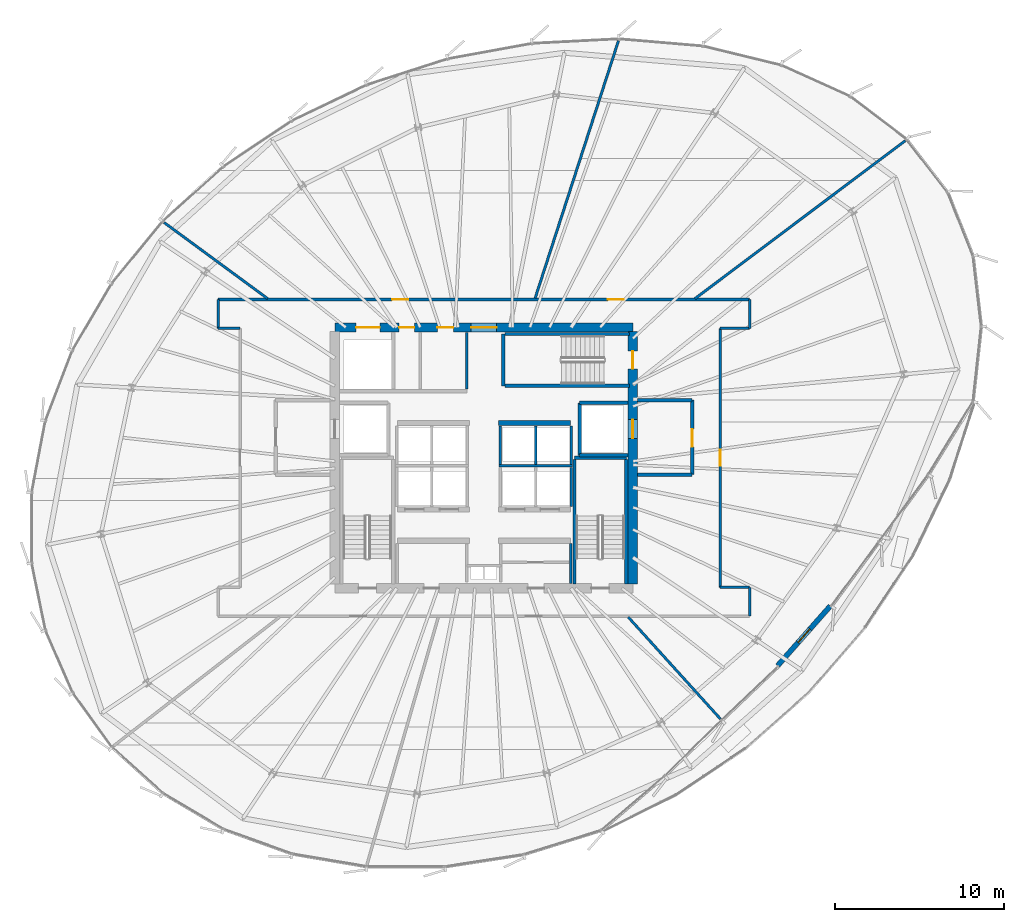
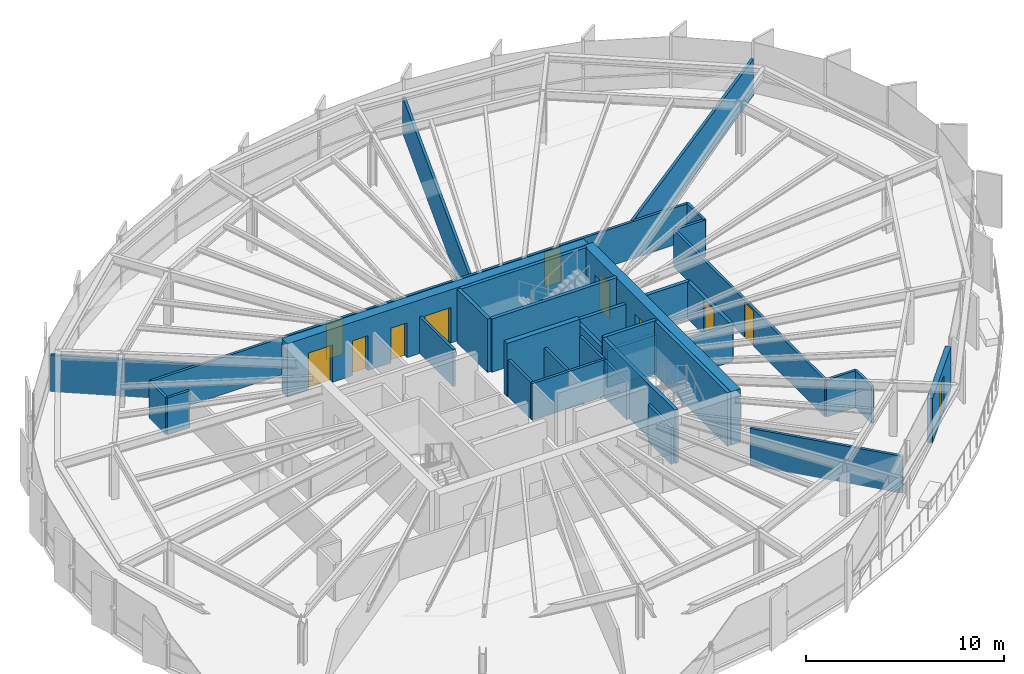
# One storey, part 29 of 34: 35 walls, 11 doors, 11 openings.
"""IFC4 building model written with IfcOpenShell, lengths in metres."""

from ifc_helpers import new_model, si_unit, direction, frame, frame_2d, origin, place, context, subcontext, project, spatial, rectangle, extrude, source, transform, mapped, material, layer, layer_set, type_object, element, fill, save


model = new_model("IFC4")

# Units and contexts
model_context = context("Model", 3, precision=1e-05, world=origin(), true_north=direction((0.0, 1.0)))
body_context = subcontext(model_context, "Body", "Model", "MODEL_VIEW")
ifc_project = project(units=[si_unit("LENGTHUNIT", "METRE"), si_unit("AREAUNIT", "SQUARE_METRE"), si_unit("VOLUMEUNIT", "CUBIC_METRE"), si_unit("PLANEANGLEUNIT", "RADIAN"), si_unit("MASSUNIT", "GRAM", prefix="KILO"), si_unit("THERMODYNAMICTEMPERATUREUNIT", "KELVIN")], contexts=[model_context])

# Site, building, storey
site_placement = place(None, origin())
site = spatial("IfcSite", under=ifc_project, at=site_placement, CompositionType="ELEMENT")
building_placement = place(site_placement, origin())
building = spatial("IfcBuilding", under=site, at=building_placement, Name="Kethvar Cultural Tower", CompositionType="ELEMENT")
storey_placement = place(building_placement, frame((0.0, 0.0, 153.64990234375)))
storey = spatial("IfcBuildingStorey", under=building, at=storey_placement, Name="L39", CompositionType="ELEMENT", Elevation=153.64990234375)

# Wall, openings, doors
ifc_material_1 = material(Name="Concrete C60/75", Category="concrete")
ifc_layer_1 = layer(ifc_material_1, 0.550048828125, Name="Concrete C60/75", Category="concrete")
ifc_layer_set_1 = layer_set([ifc_layer_1], Name="Concrete C60/75 (550 mm)")
wall_type_1 = type_object("IfcWallType", Name="WL-CORE-550", PredefinedType="SHEAR", material=ifc_layer_set_1)
wall_1_placement = place(storey_placement, frame((55.60009765625, 35.5, 0.0), z_axis=(0.0, 0.0, 1.0), x_axis=(-1.0, 0.0, 0.0)))
wall_1 = element("IfcWall", 1, at=wall_1_placement, inside=storey, type_object=wall_type_1, Name="L39 Core Shear Wall N", PredefinedType="SHEAR", context=body_context, shape_type="SweptSolid", body=[
    extrude(rectangle(XDim=17.60009765625, YDim=0.550048828125, at=frame_2d((8.800048828125, 0.0))), origin(), (0.0, 0.0, 1.0), 3.300048828125),
])
opening_1_placement = place(wall_1_placement, frame((8.050048828125, 0.0, 0.0)))
opening_1 = element("IfcOpeningElement", 2, at=opening_1_placement, cuts=wall_1, Name="Opening D-L39-LN", PredefinedType="OPENING", context=body_context, shape_type="SweptSolid", body=[
    extrude(rectangle(XDim=1.5, YDim=2.199951171875, at=frame_2d((0.75, 1.10009765625))), frame((0.0, 0.284912109375, 0.0), z_axis=(0.0, -1.0, 0.0), x_axis=(1.0, 0.0, 0.0)), (0.0, 0.0, 1.0), 0.570068359375),
])
opening_2_placement = place(wall_1_placement, frame((14.949951171875, 0.0, 0.0)))
opening_2 = element("IfcOpeningElement", 3, at=opening_2_placement, cuts=wall_1, Name="Opening LD-G1", PredefinedType="OPENING", context=body_context, shape_type="SweptSolid", body=[
    extrude(rectangle(XDim=1.39990234375, YDim=2.300048828125, at=frame_2d((0.699951171875, 1.14990234375))), frame((0.0, 0.284912109375, 0.0), z_axis=(0.0, -1.0, 0.0), x_axis=(1.0, 0.0, 0.0)), (0.0, 0.0, 1.0), 0.570068359375),
])
opening_3_placement = place(wall_1_placement, frame((12.89990234375, 0.0, 0.0)))
opening_3 = element("IfcOpeningElement", 4, at=opening_3_placement, cuts=wall_1, Name="Opening D-L39-W1", PredefinedType="OPENING", context=body_context, shape_type="SweptSolid", body=[
    extrude(rectangle(XDim=0.89990234375, YDim=2.14990234375, at=frame_2d((0.449951171875, 1.074951171875))), frame((0.0, 0.284912109375, 0.0), z_axis=(0.0, -1.0, 0.0), x_axis=(1.0, 0.0, 0.0)), (0.0, 0.0, 1.0), 0.570068359375),
])
opening_4_placement = place(wall_1_placement, frame((10.60009765625, 0.0, 0.0)))
opening_4 = element("IfcOpeningElement", 5, at=opening_4_placement, cuts=wall_1, Name="Opening D-L39-W2", PredefinedType="OPENING", context=body_context, shape_type="SweptSolid", body=[
    extrude(rectangle(XDim=0.949951171875, YDim=2.14990234375, at=frame_2d((0.47509765625, 1.074951171875))), frame((0.0, 0.284912109375, 0.0), z_axis=(0.0, -1.0, 0.0), x_axis=(1.0, 0.0, 0.0)), (0.0, 0.0, 1.0), 0.570068359375),
])
ifc_material_2 = material(Name="Architectural Oak Timber", Category="wood")
door_type_1 = type_object("IfcDoorType", Name="DR-DBL-FD60-1500", OperationType="DOUBLE_DOOR_SINGLE_SWING", PredefinedType="DOOR", material=ifc_material_2)
shared_shape_1 = source(origin(), body_context, "Body", "SweptSolid", [
    extrude(rectangle(XDim=1.5, YDim=2.199951171875, at=frame_2d((0.75, 1.10009765625))), frame((0.0, 0.02490234375, 0.0), z_axis=(0.0, -1.0, 0.0), x_axis=(1.0, 0.0, 0.0)), (0.0, 0.0, 1.0), 0.050048828125),
])
door_1_placement = place(opening_1_placement, origin())
door_1 = element("IfcDoor", 6, at=door_1_placement, inside=storey, type_object=door_type_1, Name="L39 Lift Lobby Concourse Door", OperationType="DOUBLE_DOOR_SINGLE_SWING", OverallHeight=2.199951171875, OverallWidth=1.5, PredefinedType="DOOR", context=body_context, shape_type="MappedRepresentation", body=[
    mapped(shared_shape_1, transform((0.0, 0.0, 0.0), scale=1.0)),
])
fill(opening_1, door_1)
ifc_material_3 = material(Name="Steel S355J2", Category="steel")
door_type_2 = type_object("IfcDoorType", Name="DR-LIFT-SLIDE-1400", OperationType="NOTDEFINED", PredefinedType="DOOR", material=ifc_material_3)
shared_shape_2 = source(origin(), body_context, "Body", "SweptSolid", [
    extrude(rectangle(XDim=1.39990234375, YDim=2.300048828125, at=frame_2d((0.699951171875, 1.14990234375))), frame((0.0, 0.02490234375, 0.0), z_axis=(0.0, -1.0, 0.0), x_axis=(1.0, 0.0, 0.0)), (0.0, 0.0, 1.0), 0.050048828125),
])
door_2_placement = place(opening_2_placement, origin())
door_2 = element("IfcDoor", 7, at=door_2_placement, inside=storey, type_object=door_type_2, Name="L39 Goods Lift Landing Door", OperationType="SLIDING_TO_RIGHT", OverallHeight=2.300048828125, OverallWidth=1.39990234375, PredefinedType="DOOR", context=body_context, shape_type="MappedRepresentation", body=[
    mapped(shared_shape_2, transform((0.0, 0.0, 0.0), scale=1.0)),
])
fill(opening_2, door_2)
door_type_3 = type_object("IfcDoorType", Name="DR-FD30-950", OperationType="NOTDEFINED", PredefinedType="DOOR", material=ifc_material_2)
shared_shape_3 = source(origin(), body_context, "Body", "SweptSolid", [
    extrude(rectangle(XDim=0.949951171875, YDim=2.14990234375, at=frame_2d((0.47509765625, 1.074951171875))), frame((0.0, 0.02490234375, 0.0), z_axis=(0.0, -1.0, 0.0), x_axis=(1.0, 0.0, 0.0)), (0.0, 0.0, 1.0), 0.050048828125),
])
door_3_placement = place(opening_4_placement, origin())
door_3 = element("IfcDoor", 8, at=door_3_placement, inside=storey, type_object=door_type_3, Name="L39 Public Washroom Door", OperationType="SINGLE_SWING_RIGHT", OverallHeight=2.14990234375, OverallWidth=0.949951171875, PredefinedType="DOOR", context=body_context, shape_type="MappedRepresentation", body=[
    mapped(shared_shape_3, transform((0.0, 0.0, 0.0), scale=1.0)),
])
fill(opening_4, door_3)
door_type_4 = type_object("IfcDoorType", Name="DR-FD30-900", OperationType="NOTDEFINED", PredefinedType="DOOR", material=ifc_material_2)
shared_shape_4 = source(origin(), body_context, "Body", "SweptSolid", [
    extrude(rectangle(XDim=0.89990234375, YDim=2.14990234375, at=frame_2d((0.449951171875, 1.074951171875))), frame((0.0, 0.02490234375, 0.0), z_axis=(0.0, -1.0, 0.0), x_axis=(1.0, 0.0, 0.0)), (0.0, 0.0, 1.0), 0.050048828125),
])
door_4_placement = place(opening_3_placement, origin())
door_4 = element("IfcDoor", 9, at=door_4_placement, inside=storey, type_object=door_type_4, Name="L39 Accessible Washroom Door", OperationType="SINGLE_SWING_LEFT", OverallHeight=2.14990234375, OverallWidth=0.89990234375, PredefinedType="DOOR", context=body_context, shape_type="MappedRepresentation", body=[
    mapped(shared_shape_4, transform((0.0, 0.0, 0.0), scale=1.0)),
])
fill(opening_3, door_4)

wall_2_placement = place(storey_placement, frame((55.60009765625, 20.340087890625, 0.0), z_axis=(0.0, 0.0, 1.0), x_axis=(0.0, 1.0, 0.0)))
wall_2 = element("IfcWall", 10, at=wall_2_placement, inside=storey, type_object=wall_type_1, Name="L39 Core Shear Wall E", PredefinedType="SHEAR", context=body_context, shape_type="SweptSolid", body=[
    extrude(rectangle(XDim=14.919921875, YDim=0.550048828125, at=frame_2d((7.4599609375, 0.0))), origin(), (0.0, 0.0, 1.0), 3.300048828125),
])
opening_5_placement = place(wall_2_placement, frame((12.7099609375, 0.0, 0.0)))
opening_5 = element("IfcOpeningElement", 11, at=opening_5_placement, cuts=wall_2, Name="Opening D-L39-S3", PredefinedType="OPENING", context=body_context, shape_type="SweptSolid", body=[
    extrude(rectangle(XDim=1.050048828125, YDim=2.14990234375, at=frame_2d((0.52490234375, 1.074951171875))), frame((0.0, 0.284912109375, 0.0), z_axis=(0.0, -1.0, 0.0), x_axis=(1.0, 0.0, 0.0)), (0.0, 0.0, 1.0), 0.570068359375),
])
opening_6_placement = place(wall_2_placement, frame((8.610107421875, 0.0, 0.0)))
opening_6 = element("IfcOpeningElement", 12, at=opening_6_placement, cuts=wall_2, Name="Opening LD-2", PredefinedType="OPENING", context=body_context, shape_type="SweptSolid", body=[
    extrude(rectangle(XDim=1.10009765625, YDim=2.199951171875, at=frame_2d((0.550048828125, 1.10009765625))), frame((0.0, 0.284912109375, 0.0), z_axis=(0.0, -1.0, 0.0), x_axis=(1.0, 0.0, 0.0)), (0.0, 0.0, 1.0), 0.570068359375),
])
door_type_5 = type_object("IfcDoorType", Name="DR-FD60-1050", OperationType="NOTDEFINED", PredefinedType="DOOR", material=ifc_material_3)
shared_shape_5 = source(origin(), body_context, "Body", "SweptSolid", [
    extrude(rectangle(XDim=1.050048828125, YDim=2.14990234375, at=frame_2d((0.52490234375, 1.074951171875))), frame((0.0, 0.02490234375, 0.0), z_axis=(0.0, -1.0, 0.0), x_axis=(1.0, 0.0, 0.0)), (0.0, 0.0, 1.0), 0.050048828125),
])
door_5_placement = place(opening_5_placement, origin())
door_5 = element("IfcDoor", 13, at=door_5_placement, inside=storey, type_object=door_type_5, Name="L39 Exit Stair 3 Door", OperationType="SINGLE_SWING_LEFT", OverallHeight=2.14990234375, OverallWidth=1.050048828125, PredefinedType="DOOR", context=body_context, shape_type="MappedRepresentation", body=[
    mapped(shared_shape_5, transform((0.0, 0.0, 0.0), scale=1.0)),
])
fill(opening_5, door_5)
door_type_6 = type_object("IfcDoorType", Name="DR-LIFT-SLIDE-1100", OperationType="NOTDEFINED", PredefinedType="DOOR", material=ifc_material_3)
shared_shape_6 = source(origin(), body_context, "Body", "SweptSolid", [
    extrude(rectangle(XDim=1.10009765625, YDim=2.199951171875, at=frame_2d((0.550048828125, 1.10009765625))), frame((0.0, 0.02490234375, 0.0), z_axis=(0.0, -1.0, 0.0), x_axis=(1.0, 0.0, 0.0)), (0.0, 0.0, 1.0), 0.050048828125),
])
door_6_placement = place(opening_6_placement, origin())
door_6 = element("IfcDoor", 14, at=door_6_placement, inside=storey, type_object=door_type_6, Name="L39 Firefighting Lift Landing Door FFL-02", OperationType="SLIDING_TO_RIGHT", OverallHeight=2.199951171875, OverallWidth=1.10009765625, PredefinedType="DOOR", context=body_context, shape_type="MappedRepresentation", body=[
    mapped(shared_shape_6, transform((0.0, 0.0, 0.0), scale=1.0)),
])
fill(opening_6, door_6)

# Wall, opening, door
ifc_material_4 = material(Name="Concrete C40/50", Category="concrete")
ifc_layer_2 = layer(ifc_material_4, 0.300048828125, Name="Concrete C40/50", Category="concrete")
ifc_layer_set_2 = layer_set([ifc_layer_2], Name="Concrete C40/50 (300 mm)")
wall_type_2 = type_object("IfcWallType", Name="WL-EXT-TER-300", PredefinedType="SOLIDWALL", material=ifc_layer_set_2)
wall_3_placement = place(storey_placement, frame((67.2607421875, 19.05419921875, 0.0), z_axis=(0.0, 0.0, 1.0), x_axis=(-0.661702301401, -0.749766673253, 0.0)))
wall_3 = element("IfcWall", 15, at=wall_3_placement, inside=storey, type_object=wall_type_2, Name="L39 Sky Terrace Access Wall", PredefinedType="SOLIDWALL", context=body_context, shape_type="SweptSolid", body=[
    extrude(rectangle(XDim=4.70458984375, YDim=0.300048828125, at=frame_2d((2.352294921875, 0.0))), origin(), (0.0, 0.0, 1.0), 2.72509765625),
])
opening_7_placement = place(wall_3_placement, frame((1.827392578125, 0.0, 0.0)))
opening_7 = element("IfcOpeningElement", 16, at=opening_7_placement, cuts=wall_3, Name="Opening D-L39-T1", PredefinedType="OPENING", context=body_context, shape_type="SweptSolid", body=[
    extrude(rectangle(XDim=1.050048828125, YDim=2.199951171875, at=frame_2d((0.52490234375, 1.10009765625))), frame((0.0, 0.159912109375, 0.0), z_axis=(0.0, -1.0, 0.0), x_axis=(1.0, 0.0, 0.0)), (0.0, 0.0, 1.0), 0.320068359375),
])
ifc_material_5 = material(Name="Aluminium 6063-T6", Category="aluminium")
door_type_7 = type_object("IfcDoorType", Name="DR-EXT-TER-1050", OperationType="NOTDEFINED", PredefinedType="DOOR", material=ifc_material_5)
shared_shape_7 = source(origin(), body_context, "Body", "SweptSolid", [
    extrude(rectangle(XDim=1.050048828125, YDim=2.199951171875, at=frame_2d((0.52490234375, 1.10009765625))), frame((0.0, 0.02490234375, 0.0), z_axis=(0.0, -1.0, 0.0), x_axis=(1.0, 0.0, 0.0)), (0.0, 0.0, 1.0), 0.050048828125),
])
door_7_placement = place(opening_7_placement, origin())
door_7 = element("IfcDoor", 17, at=door_7_placement, inside=storey, type_object=door_type_7, Name="L39 Sky Terrace Access Door D-L39-T1", OperationType="SINGLE_SWING_RIGHT", OverallHeight=2.199951171875, OverallWidth=1.050048828125, PredefinedType="DOOR", context=body_context, shape_type="MappedRepresentation", body=[
    mapped(shared_shape_7, transform((0.0, 0.0, 0.0), scale=1.0)),
])
fill(opening_7, door_7)

# Walls
ifc_material_6 = material(Name="Gypsum Fireboard Partition")
ifc_layer_3 = layer(ifc_material_6, 0.14990234375, Name="Gypsum Fireboard Partition")
ifc_layer_set_3 = layer_set([ifc_layer_3], Name="Gypsum Fireboard Partition (150 mm)")
wall_type_3 = type_object("IfcWallType", Name="WL-FIRE-150", PredefinedType="PARTITIONING", material=ifc_layer_set_3)
wall_4_placement = place(storey_placement, frame((51.919921875, 20.385009765625, 0.0), z_axis=(0.0, 0.0, 1.0), x_axis=(0.0, 1.0, 0.0)))
element("IfcWall", 18, at=wall_4_placement, inside=storey, type_object=wall_type_3, Name="L39 Reclaimed East Outer Wall", PredefinedType="PARTITIONING", context=body_context, shape_type="SweptSolid", body=[
    extrude(rectangle(XDim=2.344970703125, YDim=0.14990234375, at=frame_2d((1.17236328125, 0.0))), origin(), (0.0, 0.0, 1.0), 2.280029296875),
])
wall_5_placement = place(storey_placement, frame((47.699951171875, 27.324951171875, 0.0), z_axis=(0.0, 0.0, 1.0), x_axis=(1.0, 0.0, 0.0)))
element("IfcWall", 19, at=wall_5_placement, inside=storey, type_object=wall_type_3, Name="L39 Mid-High Lift Shaft Back Wall E", PredefinedType="PARTITIONING", context=body_context, shape_type="SweptSolid", body=[
    extrude(rectangle(XDim=4.320068359375, YDim=0.14990234375, at=frame_2d((2.16015625, 0.0))), origin(), (0.0, 0.0, 1.0), 2.280029296875),
])
wall_6_placement = place(storey_placement, frame((51.949951171875, 24.919921875, 0.0), z_axis=(0.0, 0.0, 1.0), x_axis=(0.0, 1.0, 0.0)))
element("IfcWall", 20, at=wall_6_placement, inside=storey, type_object=wall_type_3, Name="L39 Mid-Rise Lift Shaft Outer Wall E", PredefinedType="PARTITIONING", context=body_context, shape_type="SweptSolid", body=[
    extrude(rectangle(XDim=2.320068359375, YDim=0.14990234375, at=frame_2d((1.16015625, 0.0))), origin(), (0.0, 0.0, 1.0), 2.280029296875),
])
for number, where, z_axis, x_axis, name in (
    (21, (47.77490234375, 27.409912109375, 0.0), (0.0, 0.0, 1.0), (0.0, 1.0, 0.0), "L39 High-Rise Lift Shaft Concourse Wall E"),
    (22, (49.875, 27.409912109375, 0.0), (0.0, 0.0, 1.0), (0.0, 1.0, 0.0), "L39 High-Rise Lift Shaft Divider E"),
    (23, (51.949951171875, 27.409912109375, 0.0), (0.0, 0.0, 1.0), (0.0, 1.0, 0.0), "L39 High-Rise Lift Shaft Outer Wall E"),
):
    element("IfcWall", number, at=place(storey_placement, frame(where, z_axis=z_axis, x_axis=x_axis)), inside=storey, type_object=wall_type_3, Name=name, PredefinedType="PARTITIONING", context=body_context, shape_type="SweptSolid", body=[
        extrude(rectangle(XDim=2.27001953125, YDim=0.14990234375, at=frame_2d((1.135009765625, 0.0))), origin(), (0.0, 0.0, 1.0), 2.280029296875),
    ])
wall_7_placement = place(storey_placement, frame((45.800048828125, 31.85009765625, 0.0), z_axis=(0.0, 0.0, 1.0), x_axis=(0.0, 1.0, 0.0)))
element("IfcWall", 24, at=wall_7_placement, inside=storey, type_object=wall_type_3, Name="L39 Sanitary Spine Wall", PredefinedType="PARTITIONING", context=body_context, shape_type="SweptSolid", body=[
    extrude(rectangle(XDim=3.364990234375, YDim=0.14990234375, at=frame_2d((1.6826171875, 0.0))), origin(), (0.0, 0.0, 1.0), 2.280029296875),
])
wall_8_placement = place(storey_placement, frame((62.5, 18.449951171875, 0.0), z_axis=(0.0, 0.0, 1.0), x_axis=(0.0, 1.0, 0.0)))
element("IfcWall", 25, at=wall_8_placement, inside=storey, type_object=wall_type_3, Name="L39 Corridor Rated Wall ES", PredefinedType="PARTITIONING", context=body_context, shape_type="SweptSolid", body=[
    extrude(rectangle(XDim=1.699951171875, YDim=0.14990234375, at=frame_2d((0.85009765625, 0.0))), origin(), (0.0, 0.0, 1.0), 2.280029296875),
])
wall_9_placement = place(storey_placement, frame((62.5, 20.14990234375, 0.0), z_axis=(0.0, 0.0, 1.0), x_axis=(-1.0, 0.0, 0.0)))
element("IfcWall", 26, at=wall_9_placement, inside=storey, type_object=wall_type_3, Name="L39 Corridor Rated Wall EST", PredefinedType="PARTITIONING", context=body_context, shape_type="SweptSolid", body=[
    extrude(rectangle(XDim=1.75, YDim=0.14990234375, at=frame_2d((0.875, 0.0))), origin(), (0.0, 0.0, 1.0), 2.280029296875),
])

# Wall, opening, door
wall_10_placement = place(storey_placement, frame((60.75, 20.14990234375, 0.0), z_axis=(0.0, 0.0, 1.0), x_axis=(0.0, 1.0, 0.0)))
wall_10 = element("IfcWall", 27, at=wall_10_placement, inside=storey, type_object=wall_type_3, Name="L39 Corridor Rated Wall EM", PredefinedType="PARTITIONING", context=body_context, shape_type="SweptSolid", body=[
    extrude(rectangle(XDim=15.300048828125, YDim=0.14990234375, at=frame_2d((7.64990234375, 0.0))), origin(), (0.0, 0.0, 1.0), 2.280029296875),
])
opening_8_placement = place(wall_10_placement, frame((7.175048828125, 0.0, 0.0)))
opening_8 = element("IfcOpeningElement", 28, at=opening_8_placement, cuts=wall_10, Name="Opening D-L39-03", PredefinedType="OPENING", context=body_context, shape_type="SweptSolid", body=[
    extrude(rectangle(XDim=0.949951171875, YDim=2.14990234375, at=frame_2d((0.47509765625, 1.074951171875))), frame((0.0, 0.0849609375, 0.0), z_axis=(0.0, -1.0, 0.0), x_axis=(1.0, 0.0, 0.0)), (0.0, 0.0, 1.0), 0.169921875),
])
door_8_placement = place(opening_8_placement, origin())
door_8 = element("IfcDoor", 29, at=door_8_placement, inside=storey, type_object=door_type_3, Name="L39 Researchers' Study Lounge 03 Door", OperationType="SINGLE_SWING_RIGHT", OverallHeight=2.14990234375, OverallWidth=0.949951171875, PredefinedType="DOOR", context=body_context, shape_type="MappedRepresentation", body=[
    mapped(shared_shape_3, transform((0.0, 0.0, 0.0), scale=1.0)),
])
fill(opening_8, door_8)

# Walls
wall_11_placement = place(storey_placement, frame((60.75, 35.449951171875, 0.0), z_axis=(0.0, 0.0, 1.0), x_axis=(1.0, 0.0, 0.0)))
element("IfcWall", 30, at=wall_11_placement, inside=storey, type_object=wall_type_3, Name="L39 Corridor Rated Wall ENT", PredefinedType="PARTITIONING", context=body_context, shape_type="SweptSolid", body=[
    extrude(rectangle(XDim=1.75, YDim=0.14990234375, at=frame_2d((0.875, 0.0))), origin(), (0.0, 0.0, 1.0), 2.280029296875),
])
wall_12_placement = place(storey_placement, frame((62.5, 35.449951171875, 0.0), z_axis=(0.0, 0.0, 1.0), x_axis=(0.0, 1.0, 0.0)))
element("IfcWall", 31, at=wall_12_placement, inside=storey, type_object=wall_type_3, Name="L39 Corridor Rated Wall EN", PredefinedType="PARTITIONING", context=body_context, shape_type="SweptSolid", body=[
    extrude(rectangle(XDim=1.699951171875, YDim=0.14990234375, at=frame_2d((0.85009765625, 0.0))), origin(), (0.0, 0.0, 1.0), 2.280029296875),
])

# Wall, openings, doors
wall_13_placement = place(storey_placement, frame((62.5, 37.14990234375, 0.0), z_axis=(0.0, 0.0, 1.0), x_axis=(-1.0, 0.0, 0.0)))
wall_13 = element("IfcWall", 32, at=wall_13_placement, inside=storey, type_object=wall_type_3, Name="L39 Corridor Rated Wall N", PredefinedType="PARTITIONING", context=body_context, shape_type="SweptSolid", body=[
    extrude(rectangle(XDim=31.39990234375, YDim=0.14990234375, at=frame_2d((15.699951171875, 0.0))), origin(), (0.0, 0.0, 1.0), 2.280029296875),
])
opening_9_placement = place(wall_13_placement, frame((7.431884765625, 0.0, 0.0)))
opening_9 = element("IfcOpeningElement", 33, at=opening_9_placement, cuts=wall_13, Name="Opening D-L39-04", PredefinedType="OPENING", context=body_context, shape_type="SweptSolid", body=[
    extrude(rectangle(XDim=0.949951171875, YDim=2.14990234375, at=frame_2d((0.47509765625, 1.074951171875))), frame((0.0, 0.0849609375, 0.0), z_axis=(0.0, -1.0, 0.0), x_axis=(1.0, 0.0, 0.0)), (0.0, 0.0, 1.0), 0.169921875),
])
opening_10_placement = place(wall_13_placement, frame((20.163818359375, 0.0, 0.0)))
opening_10 = element("IfcOpeningElement", 34, at=opening_10_placement, cuts=wall_13, Name="Opening D-L39-05", PredefinedType="OPENING", context=body_context, shape_type="SweptSolid", body=[
    extrude(rectangle(XDim=0.949951171875, YDim=2.14990234375, at=frame_2d((0.47509765625, 1.074951171875))), frame((0.0, 0.0849609375, 0.0), z_axis=(0.0, -1.0, 0.0), x_axis=(1.0, 0.0, 0.0)), (0.0, 0.0, 1.0), 0.169921875),
])
door_9_placement = place(opening_9_placement, origin())
door_9 = element("IfcDoor", 35, at=door_9_placement, inside=storey, type_object=door_type_3, Name="L39 Cultural Event Salon 04 Door", OperationType="SINGLE_SWING_LEFT", OverallHeight=2.14990234375, OverallWidth=0.949951171875, PredefinedType="DOOR", context=body_context, shape_type="MappedRepresentation", body=[
    mapped(shared_shape_3, transform((0.0, 0.0, 0.0), scale=1.0)),
])
fill(opening_9, door_9)
door_10_placement = place(opening_10_placement, origin())
door_10 = element("IfcDoor", 36, at=door_10_placement, inside=storey, type_object=door_type_3, Name="L39 Founders' Reception 05 Door", OperationType="SINGLE_SWING_RIGHT", OverallHeight=2.14990234375, OverallWidth=0.949951171875, PredefinedType="DOOR", context=body_context, shape_type="MappedRepresentation", body=[
    mapped(shared_shape_3, transform((0.0, 0.0, 0.0), scale=1.0)),
])
fill(opening_10, door_10)

# Walls
wall_14_placement = place(storey_placement, frame((31.10009765625, 37.14990234375, 0.0), z_axis=(0.0, 0.0, 1.0), x_axis=(0.0, -1.0, 0.0)))
element("IfcWall", 37, at=wall_14_placement, inside=storey, type_object=wall_type_3, Name="L39 Corridor Rated Wall WN", PredefinedType="PARTITIONING", context=body_context, shape_type="SweptSolid", body=[
    extrude(rectangle(XDim=1.699951171875, YDim=0.14990234375, at=frame_2d((0.85009765625, 0.0))), origin(), (0.0, 0.0, 1.0), 2.280029296875),
])
wall_15_placement = place(storey_placement, frame((31.10009765625, 35.449951171875, 0.0), z_axis=(0.0, 0.0, 1.0), x_axis=(1.0, 0.0, 0.0)))
element("IfcWall", 38, at=wall_15_placement, inside=storey, type_object=wall_type_3, Name="L39 Corridor Rated Wall WNT", PredefinedType="PARTITIONING", context=body_context, shape_type="SweptSolid", body=[
    extrude(rectangle(XDim=1.2998046875, YDim=0.14990234375, at=frame_2d((0.64990234375, 0.0))), origin(), (0.0, 0.0, 1.0), 2.280029296875),
])
ifc_layer_4 = layer(ifc_material_4, 0.199951171875, Name="Concrete C40/50", Category="concrete")
ifc_layer_set_4 = layer_set([ifc_layer_4], Name="Concrete C40/50 (200 mm)")
wall_type_4 = type_object("IfcWallType", Name="WL-FIRE-200", PredefinedType="PARTITIONING", material=ifc_layer_set_4)
wall_16_placement = place(storey_placement, frame((52.449951171875, 27.949951171875, 0.0), z_axis=(0.0, 0.0, 1.0), x_axis=(0.0, 1.0, 0.0)))
element("IfcWall", 39, at=wall_16_placement, inside=storey, type_object=wall_type_4, Name="L39 FFL-02 Shaft Inner Wall", PredefinedType="PARTITIONING", context=body_context, shape_type="SweptSolid", body=[
    extrude(rectangle(XDim=3.10009765625, YDim=0.199951171875, at=frame_2d((1.550048828125, 0.0))), origin(), (0.0, 0.0, 1.0), 2.280029296875),
])
for number, where, z_axis, x_axis, name in (
    (40, (52.449951171875, 27.949951171875, 0.0), (0.0, 0.0, 1.0), (1.0, 0.0, 0.0), "L39 FFL-02 Shaft South Wall"),
    (41, (52.449951171875, 31.050048828125, 0.0), (0.0, 0.0, 1.0), (1.0, 0.0, 0.0), "L39 FFL-02 Shaft North Wall"),
):
    element("IfcWall", number, at=place(storey_placement, frame(where, z_axis=z_axis, x_axis=x_axis)), inside=storey, type_object=wall_type_4, Name=name, PredefinedType="PARTITIONING", context=body_context, shape_type="SweptSolid", body=[
        extrude(rectangle(XDim=2.864990234375, YDim=0.199951171875, at=frame_2d((1.4326171875, 0.0))), origin(), (0.0, 0.0, 1.0), 2.280029296875),
    ])

# Wall, opening, door
wall_17_placement = place(storey_placement, frame((59.10009765625, 26.800048828125, 0.0), z_axis=(0.0, 0.0, 1.0), x_axis=(0.0, 1.0, 0.0)))
wall_17 = element("IfcWall", 42, at=wall_17_placement, inside=storey, type_object=wall_type_4, Name="L39 Firefighting Lobby 2 Wall", PredefinedType="PARTITIONING", context=body_context, shape_type="SweptSolid", body=[
    extrude(rectangle(XDim=4.39990234375, YDim=0.199951171875, at=frame_2d((2.199951171875, 0.0))), origin(), (0.0, 0.0, 1.0), 2.280029296875),
])
opening_11_placement = place(wall_17_placement, frame((1.64990234375, 0.0, 0.0)))
opening_11 = element("IfcOpeningElement", 43, at=opening_11_placement, cuts=wall_17, Name="Opening D-L39-F2", PredefinedType="OPENING", context=body_context, shape_type="SweptSolid", body=[
    extrude(rectangle(XDim=1.050048828125, YDim=2.14990234375, at=frame_2d((0.52490234375, 1.074951171875))), frame((0.0, 0.10986328125, 0.0), z_axis=(0.0, -1.0, 0.0), x_axis=(1.0, 0.0, 0.0)), (0.0, 0.0, 1.0), 0.219970703125),
])
door_11_placement = place(opening_11_placement, origin())
door_11 = element("IfcDoor", 44, at=door_11_placement, inside=storey, type_object=door_type_5, Name="L39 Firefighting Lobby 2 Fire Door", OperationType="SINGLE_SWING_LEFT", OverallHeight=2.14990234375, OverallWidth=1.050048828125, PredefinedType="DOOR", context=body_context, shape_type="MappedRepresentation", body=[
    mapped(shared_shape_5, transform((0.0, 0.0, 0.0), scale=1.0)),
])
fill(opening_11, door_11)

# Walls
for number, where, z_axis, x_axis, name in (
    (45, (55.885009765625, 26.800048828125, 0.0), (0.0, 0.0, 1.0), (1.0, 0.0, 0.0), "L39 FF Lobby 2 South Wall"),
    (46, (55.885009765625, 31.199951171875, 0.0), (0.0, 0.0, 1.0), (1.0, 0.0, 0.0), "L39 FF Lobby 2 North Wall"),
):
    element("IfcWall", number, at=place(storey_placement, frame(where, z_axis=z_axis, x_axis=x_axis)), inside=storey, type_object=wall_type_4, Name=name, PredefinedType="PARTITIONING", context=body_context, shape_type="SweptSolid", body=[
        extrude(rectangle(XDim=3.215087890625, YDim=0.199951171875, at=frame_2d((1.607421875, 0.0))), origin(), (0.0, 0.0, 1.0), 2.280029296875),
    ])
ifc_material_7 = material(Name="Gypsum Acoustic Partition")
ifc_layer_5 = layer(ifc_material_7, 0.14990234375, Name="Gypsum Acoustic Partition")
ifc_layer_set_5 = layer_set([ifc_layer_5], Name="Gypsum Acoustic Partition (150 mm)")
wall_type_5 = type_object("IfcWallType", Name="WL-PART-150", PredefinedType="PARTITIONING", material=ifc_layer_set_5)
wall_18_placement = place(storey_placement, frame((55.32568359375, 18.390625, 0.0), z_axis=(0.0, 0.0, 1.0), x_axis=(0.671197708212, -0.741278379889, 0.0)))
element("IfcWall", 47, at=wall_18_placement, inside=storey, type_object=wall_type_5, Name="L39 Radial Partition Wall 03", PredefinedType="PARTITIONING", context=body_context, shape_type="SweptSolid", body=[
    extrude(rectangle(XDim=8.113525390625, YDim=0.14990234375, at=frame_2d((4.056640625, 0.0))), origin(), (0.0, 0.0, 1.0), 2.280029296875),
])
wall_19_placement = place(storey_placement, frame((59.26318359375, 37.197998046875, 0.0), z_axis=(0.0, 0.0, 1.0), x_axis=(0.799573694143, 0.600567987521, 0.0)))
element("IfcWall", 48, at=wall_19_placement, inside=storey, type_object=wall_type_5, Name="L39 Radial Partition Wall 04", PredefinedType="PARTITIONING", context=body_context, shape_type="SweptSolid", body=[
    extrude(rectangle(XDim=15.53857421875, YDim=0.14990234375, at=frame_2d((7.769287109375, 0.0))), origin(), (0.0, 0.0, 1.0), 2.280029296875),
])
wall_20_placement = place(storey_placement, frame((49.826416015625, 37.22607421875, 0.0), z_axis=(0.0, 0.0, 1.0), x_axis=(0.307956150851, 0.951400551373, 0.0)))
element("IfcWall", 49, at=wall_20_placement, inside=storey, type_object=wall_type_5, Name="L39 Radial Partition Wall 05", PredefinedType="PARTITIONING", context=body_context, shape_type="SweptSolid", body=[
    extrude(rectangle(XDim=15.979248046875, YDim=0.14990234375, at=frame_2d((7.98974609375, 0.0))), origin(), (0.0, 0.0, 1.0), 2.280029296875),
])
wall_21_placement = place(storey_placement, frame((34.03466796875, 37.197509765625, 0.0), z_axis=(0.0, 0.0, 1.0), x_axis=(-0.805757118537, 0.592246119386, 0.0)))
element("IfcWall", 50, at=wall_21_placement, inside=storey, type_object=wall_type_5, Name="L39 Radial Partition Wall 06", PredefinedType="PARTITIONING", context=body_context, shape_type="SweptSolid", body=[
    extrude(rectangle(XDim=7.589111328125, YDim=0.14990234375, at=frame_2d((3.79443359375, 0.0))), origin(), (0.0, 0.0, 1.0), 2.280029296875),
])
ifc_material_8 = material(Name="Concrete C50/60", Category="concrete")
ifc_layer_6 = layer(ifc_material_8, 0.300048828125, Name="Concrete C50/60", Category="concrete")
ifc_layer_set_6 = layer_set([ifc_layer_6], Name="Concrete C50/60 (300 mm)")
wall_type_6 = type_object("IfcWallType", Name="WL-SHAFT-300", PredefinedType="SHEAR", material=ifc_layer_set_6)
wall_22_placement = place(storey_placement, frame((47.64990234375, 29.85009765625, 0.0), z_axis=(0.0, 0.0, 1.0), x_axis=(1.0, 0.0, 0.0)))
element("IfcWall", 51, at=wall_22_placement, inside=storey, type_object=wall_type_6, Name="L39 Core Lift Spine Wall MID3E", PredefinedType="SHEAR", context=body_context, shape_type="SweptSolid", body=[
    extrude(rectangle(XDim=4.25, YDim=0.300048828125, at=frame_2d((2.125, 0.0))), origin(), (0.0, 0.0, 1.0), 3.300048828125),
])
ifc_layer_7 = layer(ifc_material_8, 0.199951171875, Name="Concrete C50/60", Category="concrete")
ifc_layer_set_7 = layer_set([ifc_layer_7], Name="Concrete C50/60 (200 mm)")
wall_type_7 = type_object("IfcWallType", Name="WL-STSHAFT-200", PredefinedType="SHEAR", material=ifc_layer_set_7)
wall_23_placement = place(storey_placement, frame((52.14990234375, 27.800048828125, 0.0), z_axis=(0.0, 0.0, 1.0), x_axis=(1.0, 0.0, 0.0)))
element("IfcWall", 52, at=wall_23_placement, inside=storey, type_object=wall_type_7, Name="L39 ST-02 Stair Shaft Wall FAR", PredefinedType="SHEAR", context=body_context, shape_type="SweptSolid", body=[
    extrude(rectangle(XDim=3.06005859375, YDim=0.199951171875, at=frame_2d((1.530029296875, 0.0))), origin(), (0.0, 0.0, 1.0), 3.300048828125),
])
for number, where, z_axis, x_axis, name in (
    (53, (55.2099609375, 27.699951171875, 0.0), (0.0, 0.0, 1.0), (0.0, -1.0, 0.0), "L39 ST-02 Stair Shaft Wall LEFT"),
    (54, (52.14990234375, 20.35009765625, 0.0), (0.0, 0.0, 1.0), (0.0, 1.0, 0.0), "L39 ST-02 Stair Shaft Wall RIGHT"),
):
    element("IfcWall", number, at=place(storey_placement, frame(where, z_axis=z_axis, x_axis=x_axis)), inside=storey, type_object=wall_type_7, Name=name, PredefinedType="SHEAR", context=body_context, shape_type="SweptSolid", body=[
        extrude(rectangle(XDim=7.349853515625, YDim=0.199951171875, at=frame_2d((3.6748046875, 0.0))), origin(), (0.0, 0.0, 1.0), 3.300048828125),
    ])
wall_24_placement = place(storey_placement, frame((47.949951171875, 32.050048828125, 0.0), z_axis=(0.0, 0.0, 1.0), x_axis=(0.0, 1.0, 0.0)))
element("IfcWall", 55, at=wall_24_placement, inside=storey, type_object=wall_type_7, Name="L39 ST-03 Stair Shaft Wall FAR", PredefinedType="SHEAR", context=body_context, shape_type="SweptSolid", body=[
    extrude(rectangle(XDim=3.06005859375, YDim=0.199951171875, at=frame_2d((1.530029296875, 0.0))), origin(), (0.0, 0.0, 1.0), 3.300048828125),
])
for number, where, z_axis, x_axis, name in (
    (56, (48.050048828125, 35.110107421875, 0.0), (0.0, 0.0, 1.0), (1.0, 0.0, 0.0), "L39 ST-03 Stair Shaft Wall LEFT"),
    (57, (55.39990234375, 32.050048828125, 0.0), (0.0, 0.0, 1.0), (-1.0, 0.0, 0.0), "L39 ST-03 Stair Shaft Wall RIGHT"),
):
    element("IfcWall", number, at=place(storey_placement, frame(where, z_axis=z_axis, x_axis=x_axis)), inside=storey, type_object=wall_type_7, Name=name, PredefinedType="SHEAR", context=body_context, shape_type="SweptSolid", body=[
        extrude(rectangle(XDim=7.349853515625, YDim=0.199951171875, at=frame_2d((3.6748046875, 0.0))), origin(), (0.0, 0.0, 1.0), 3.300048828125),
    ])

save(model, "model.ifc")
